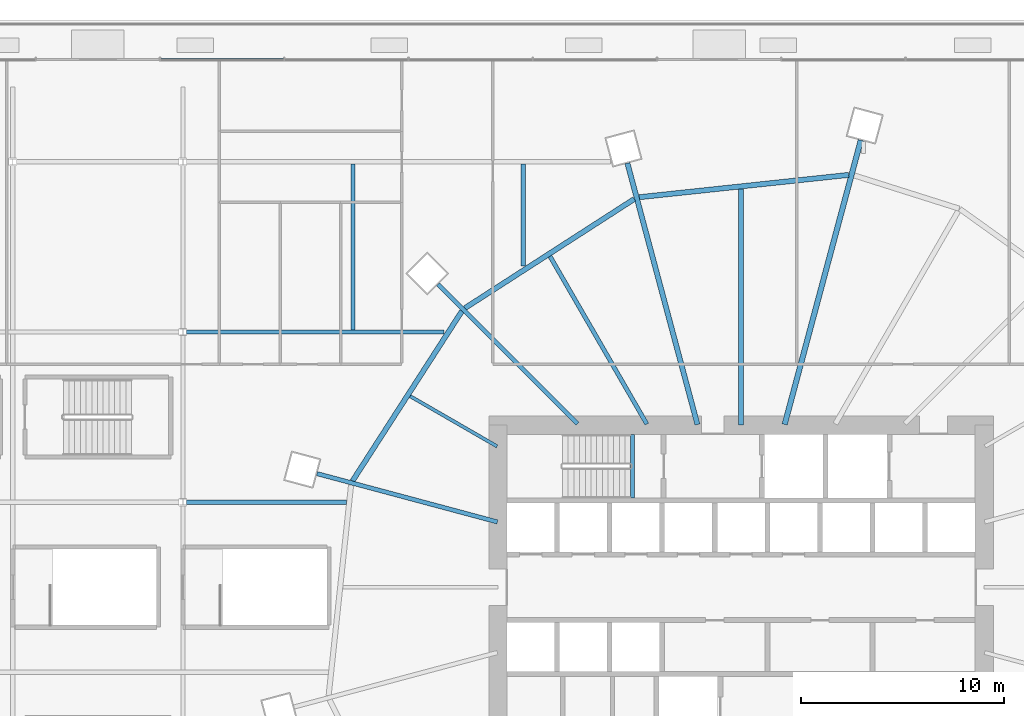
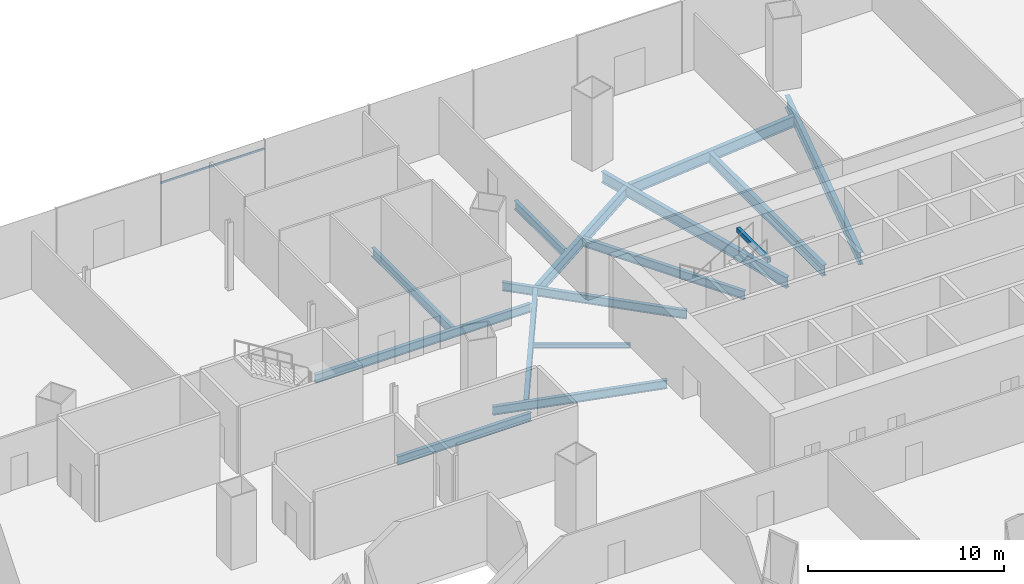
# One storey, part 25 of 49: 15 beams, 1 member, 1 element without a shape of its own.
"""IFC4 building model written with IfcOpenShell, lengths in metres."""

from ifc_helpers import new_model, si_unit, direction, frame, origin, origin_2d, place, context, subcontext, project, spatial, rectangle, hollow_rectangle, i_section, extrude, material, material_profile, profile_set, type_object, element, aggregate, save


model = new_model("IFC4")

# Units and contexts
model_context = context("Model", 3, precision=1e-05, world=origin(), true_north=direction((0.0, 1.0)))
body_context = subcontext(model_context, "Body", "Model", "MODEL_VIEW")
ifc_project = project(units=[si_unit("LENGTHUNIT", "METRE"), si_unit("AREAUNIT", "SQUARE_METRE"), si_unit("VOLUMEUNIT", "CUBIC_METRE"), si_unit("PLANEANGLEUNIT", "RADIAN"), si_unit("MASSUNIT", "GRAM", prefix="KILO")], contexts=[model_context])

# Site, building, storey
site_placement = place(None, origin())
site = spatial("IfcSite", under=ifc_project, at=site_placement, CompositionType="ELEMENT")
building_placement = place(site_placement, origin())
building = spatial("IfcBuilding", under=site, at=building_placement, Name="Rimbun Link Towers", CompositionType="ELEMENT")
storey_placement = place(building_placement, frame((0.0, 0.0, 25.5)))
storey = spatial("IfcBuildingStorey", under=building, at=storey_placement, Name="L05", CompositionType="ELEMENT", Elevation=25.5)

# Curtain wall, member
ifc_material_1 = material(Name="Aluminium 6063-T6 and low-iron glass", Category="aluminium")
curtain_wall_type = type_object("IfcCurtainWallType", Name="CW3 podium shopfront", PredefinedType="NOTDEFINED", material=ifc_material_1)
curtain_wall_placement = place(storey_placement, origin())
curtain_wall = element("IfcCurtainWall", 1, at=curtain_wall_placement, inside=storey, type_object=curtain_wall_type, Name="CW3 L05 PD", PredefinedType="NOTDEFINED")
ifc_material_2 = material(Name="Aluminium 6063-T6", Category="aluminium")
ifc_material_profile_1 = material_profile(ifc_material_2, rectangle(XDim=0.06005859375, YDim=0.1201171875, at=origin_2d()), Name="TRANSOM 60X120")
ifc_profile_set_1 = profile_set([ifc_material_profile_1], Name="Aluminium 6063-T6")
member_type = type_object("IfcMemberType", Name="CW3 transom 60X120", PredefinedType="USERDEFINED", material=ifc_profile_set_1)
member_placement = place(storey_placement, frame((3.0966796875, 26.053955078125, 3.89990234375), z_axis=(1.0, 0.0, 0.0), x_axis=(0.0, 1.0, 0.0)))
member = element("IfcMember", 2, at=member_placement, type_object=member_type, Name="CW3 transom", ObjectType="TRANSOM", PredefinedType="USERDEFINED", context=body_context, shape_type="SweptSolid", body=[
    extrude(rectangle(XDim=0.06005859375, YDim=0.1201171875, at=origin_2d()), origin(), (0.0, 0.0, 1.0), 6.0732421875),
])
aggregate(curtain_wall, [member])

# Beams
ifc_material_3 = material(Name="Steel S355J2", Category="steel")
ifc_material_profile_2 = material_profile(ifc_material_3, hollow_rectangle(XDim=0.199951171875, YDim=0.300048828125, WallThickness=0.011962890625, at=origin_2d()), Name="BOX 300x200x12")
ifc_profile_set_2 = profile_set([ifc_material_profile_2], Name="Steel S355J2")
beam_type_1 = type_object("IfcBeamType", Name="Stair trimmer beam BOX 300x200x12", PredefinedType="BEAM", material=ifc_profile_set_2)
beam_1_placement = place(storey_placement, frame((26.39990234375, 7.550048828125, 4.050048828125), z_axis=(0.0, -1.0, 0.0), x_axis=(1.0, 0.0, 0.0)))
element("IfcBeam", 3, at=beam_1_placement, inside=storey, type_object=beam_type_1, Name="L05 ST3 stair beam 1", PredefinedType="BEAM", context=body_context, shape_type="SweptSolid", body=[
    extrude(hollow_rectangle(XDim=0.199951171875, YDim=0.300048828125, WallThickness=0.011962890625, at=origin_2d()), origin(), (0.0, 0.0, 1.0), 3.150146484375),
])
ifc_material_4 = material(Name="Steel S355J2", Category="steel")
ifc_material_profile_3 = material_profile(ifc_material_4, i_section(OverallWidth=0.1650390625, OverallDepth=0.303466796875, WebThickness=0.006103515625, FlangeThickness=0.01025390625, at=origin_2d()), Name="UB 305x165x40")
ifc_profile_set_3 = profile_set([ifc_material_profile_3], Name="Steel S355J2")
beam_type_2 = type_object("IfcBeamType", Name="UB 305x165x40", PredefinedType="BEAM", material=ifc_profile_set_3)
beam_2_placement = place(storey_placement, frame((19.7080078125, 6.952392578125, -0.45166015625), z_axis=(-0.866029649098, 0.49999264683, 0.0), x_axis=(-0.49999264683, -0.866029649098, 0.0)))
element("IfcBeam", 4, at=beam_2_placement, inside=storey, type_object=beam_type_2, Name="Radial beam T2 L05 07", PredefinedType="BEAM", context=body_context, shape_type="SweptSolid", body=[
    extrude(i_section(OverallWidth=0.1650390625, OverallDepth=0.303466796875, WebThickness=0.006103515625, FlangeThickness=0.01025390625, at=origin_2d()), origin(), (0.0, 0.0, 1.0), 4.95361328125),
])
ifc_material_5 = material(Name="Steel S355J2", Category="steel")
ifc_material_profile_4 = material_profile(ifc_material_5, i_section(OverallWidth=0.209228515625, OverallDepth=0.533203125, WebThickness=0.010009765625, FlangeThickness=0.015625, at=origin_2d()), Name="UB 533x210x92")
ifc_profile_set_4 = profile_set([ifc_material_profile_4], Name="Steel S355J2")
beam_type_3 = type_object("IfcBeamType", Name="UB 533x210x92", PredefinedType="BEAM", material=ifc_profile_set_4)
beam_3_placement = place(storey_placement, frame((27.1005859375, 8.05322265625, -0.56640625), z_axis=(-0.500001003139, 0.866024824621, 0.0), x_axis=(-0.866024824621, -0.500001003139, 0.0)))
element("IfcBeam", 5, at=beam_3_placement, inside=storey, type_object=beam_type_3, Name="Radial beam T2 L05 05", PredefinedType="BEAM", context=body_context, shape_type="SweptSolid", body=[
    extrude(i_section(OverallWidth=0.209228515625, OverallDepth=0.533203125, WebThickness=0.010009765625, FlangeThickness=0.015625, at=origin_2d()), origin(), (0.0, 0.0, 1.0), 9.5595703125),
])
beam_4_placement = place(storey_placement, frame((23.67529296875, 8.07470703125, -0.56640625), z_axis=(-0.707106781187, 0.707106781187, 0.0), x_axis=(-0.707106781187, -0.707106781187, 0.0)))
element("IfcBeam", 6, at=beam_4_placement, inside=storey, type_object=beam_type_3, Name="Radial beam T2 L05 06", PredefinedType="BEAM", context=body_context, shape_type="SweptSolid", body=[
    extrude(i_section(OverallWidth=0.209228515625, OverallDepth=0.533203125, WebThickness=0.010009765625, FlangeThickness=0.015625, at=origin_2d()), origin(), (0.0, 0.0, 1.0), 9.73486328125),
])
beam_5_placement = place(storey_placement, frame((19.721923828125, 3.222900390625, -0.56640625), z_axis=(-0.965927485499, 0.258812852768, 0.0), x_axis=(-0.258812852768, -0.965927485499, 0.0)))
element("IfcBeam", 7, at=beam_5_placement, inside=storey, type_object=beam_type_3, Name="Radial beam T2 L05 08", PredefinedType="BEAM", context=body_context, shape_type="SweptSolid", body=[
    extrude(i_section(OverallWidth=0.209228515625, OverallDepth=0.533203125, WebThickness=0.010009765625, FlangeThickness=0.015625, at=origin_2d()), origin(), (0.0, 0.0, 1.0), 9.219970703125),
])
beam_6_placement = place(storey_placement, frame((4.38525390625, 4.199951171875, -0.56640625), z_axis=(1.0, 0.0, 0.0), x_axis=(0.0, 1.0, 0.0)))
element("IfcBeam", 8, at=beam_6_placement, inside=storey, type_object=beam_type_3, Name="Grid beam L05 +4.2", PredefinedType="BEAM", context=body_context, shape_type="SweptSolid", body=[
    extrude(i_section(OverallWidth=0.209228515625, OverallDepth=0.533203125, WebThickness=0.010009765625, FlangeThickness=0.015625, at=origin_2d()), origin(), (0.0, 0.0, 1.0), 7.88525390625),
])
beam_7_placement = place(storey_placement, frame((4.38525390625, 12.60009765625, -0.56640625), z_axis=(1.0, 0.0, 0.0), x_axis=(0.0, 1.0, 0.0)))
element("IfcBeam", 9, at=beam_7_placement, inside=storey, type_object=beam_type_3, Name="Grid beam L05 +12.6", PredefinedType="BEAM", context=body_context, shape_type="SweptSolid", body=[
    extrude(i_section(OverallWidth=0.209228515625, OverallDepth=0.533203125, WebThickness=0.010009765625, FlangeThickness=0.015625, at=origin_2d()), origin(), (0.0, 0.0, 1.0), 12.7041015625),
])
beam_8_placement = place(storey_placement, frame((12.60009765625, 12.70458984375, -0.56640625), z_axis=(0.0, 1.0, 0.0), x_axis=(-1.0, 0.0, 0.0)))
element("IfcBeam", 10, at=beam_8_placement, inside=storey, type_object=beam_type_3, Name="Grid beam L05 +12.6", PredefinedType="BEAM", context=body_context, shape_type="SweptSolid", body=[
    extrude(i_section(OverallWidth=0.209228515625, OverallDepth=0.533203125, WebThickness=0.010009765625, FlangeThickness=0.015625, at=origin_2d()), origin(), (0.0, 0.0, 1.0), 8.19091796875),
])
beam_9_placement = place(storey_placement, frame((21.0, 15.8525390625, -0.56640625), z_axis=(0.0, 1.0, 0.0), x_axis=(-1.0, 0.0, 0.0)))
element("IfcBeam", 11, at=beam_9_placement, inside=storey, type_object=beam_type_3, Name="Grid beam L05 +21.0", PredefinedType="BEAM", context=body_context, shape_type="SweptSolid", body=[
    extrude(i_section(OverallWidth=0.209228515625, OverallDepth=0.533203125, WebThickness=0.010009765625, FlangeThickness=0.015625, at=origin_2d()), origin(), (0.0, 0.0, 1.0), 5.04296875),
])
ifc_material_6 = material(Name="Steel S355J2", Category="steel")
ifc_material_profile_5 = material_profile(ifc_material_6, i_section(OverallWidth=0.253662109375, OverallDepth=0.68359375, WebThickness=0.012451171875, FlangeThickness=0.01904296875, at=origin_2d()), Name="UB 686x254x140")
ifc_profile_set_5 = profile_set([ifc_material_profile_5], Name="Steel S355J2")
beam_type_4 = type_object("IfcBeamType", Name="UB 686x254x140", PredefinedType="BEAM", material=ifc_profile_set_5)
beam_10_placement = place(storey_placement, frame((31.75, 8.0009765625, -0.641845703125), z_axis=(0.0, 1.0, 0.0), x_axis=(-1.0, 0.0, 0.0)))
element("IfcBeam", 12, at=beam_10_placement, inside=storey, type_object=beam_type_4, Name="Radial beam T2 L05 03", PredefinedType="BEAM", context=body_context, shape_type="SweptSolid", body=[
    extrude(i_section(OverallWidth=0.253662109375, OverallDepth=0.68359375, WebThickness=0.012451171875, FlangeThickness=0.01904296875, at=origin_2d()), origin(), (0.0, 0.0, 1.0), 11.65771484375),
])
beam_11_placement = place(storey_placement, frame((29.597412109375, 8.03369140625, -0.641845703125), z_axis=(-0.258816190288, 0.96592659123, 0.0), x_axis=(-0.96592659123, -0.258816190288, 0.0)))
element("IfcBeam", 13, at=beam_11_placement, inside=storey, type_object=beam_type_4, Name="Radial beam T2 L05 04", PredefinedType="BEAM", context=body_context, shape_type="SweptSolid", body=[
    extrude(i_section(OverallWidth=0.253662109375, OverallDepth=0.68359375, WebThickness=0.012451171875, FlangeThickness=0.01904296875, at=origin_2d()), origin(), (0.0, 0.0, 1.0), 13.355224609375),
])
beam_12_placement = place(storey_placement, frame((37.064697265625, 20.353271484375, -0.641845703125), z_axis=(-0.994376453373, -0.105903111275, 0.0), x_axis=(0.105903111275, -0.994376453373, 0.0)))
element("IfcBeam", 14, at=beam_12_placement, inside=storey, type_object=beam_type_4, Name="Edge beam T2 L05 02-04", PredefinedType="BEAM", context=body_context, shape_type="SweptSolid", body=[
    extrude(i_section(OverallWidth=0.253662109375, OverallDepth=0.68359375, WebThickness=0.012451171875, FlangeThickness=0.01904296875, at=origin_2d()), origin(), (0.0, 0.0, 1.0), 10.3994140625),
])
beam_13_placement = place(storey_placement, frame((26.482421875, 19.16552734375, -0.641845703125), z_axis=(-0.840626167656, -0.541615773636, 0.0), x_axis=(0.541615773636, -0.840626167656, 0.0)))
element("IfcBeam", 15, at=beam_13_placement, inside=storey, type_object=beam_type_4, Name="Edge beam T2 L05 04-06", PredefinedType="BEAM", context=body_context, shape_type="SweptSolid", body=[
    extrude(i_section(OverallWidth=0.253662109375, OverallDepth=0.68359375, WebThickness=0.012451171875, FlangeThickness=0.01904296875, at=origin_2d()), origin(), (0.0, 0.0, 1.0), 9.946533203125),
])
beam_14_placement = place(storey_placement, frame((17.9716796875, 13.62890625, -0.641845703125), z_axis=(-0.541606359312, -0.840632233235, 0.0), x_axis=(0.840632233235, -0.541606359312, 0.0)))
element("IfcBeam", 16, at=beam_14_placement, inside=storey, type_object=beam_type_4, Name="Edge beam T2 L05 06-08", PredefinedType="BEAM", context=body_context, shape_type="SweptSolid", body=[
    extrude(i_section(OverallWidth=0.253662109375, OverallDepth=0.68359375, WebThickness=0.012451171875, FlangeThickness=0.01904296875, at=origin_2d()), origin(), (0.0, 0.0, 1.0), 9.9697265625),
])
ifc_material_7 = material(Name="Steel S355J2", Category="steel")
ifc_material_profile_6 = material_profile(ifc_material_7, i_section(OverallWidth=0.2666015625, OverallDepth=0.76220703125, WebThickness=0.014404296875, FlangeThickness=0.021484375, at=origin_2d()), Name="UB 762x267x173")
ifc_profile_set_6 = profile_set([ifc_material_profile_6], Name="Steel S355J2")
beam_type_5 = type_object("IfcBeamType", Name="UB 762x267x173", PredefinedType="BEAM", material=ifc_profile_set_6)
beam_15_placement = place(storey_placement, frame((33.903076171875, 8.035400390625, -0.68115234375), z_axis=(0.25882261837, 0.965924868828, 0.0), x_axis=(-0.965924868828, 0.25882261837, 0.0)))
element("IfcBeam", 17, at=beam_15_placement, inside=storey, type_object=beam_type_5, Name="Radial beam T2 L05 02", PredefinedType="BEAM", context=body_context, shape_type="SweptSolid", body=[
    extrude(i_section(OverallWidth=0.2666015625, OverallDepth=0.76220703125, WebThickness=0.014404296875, FlangeThickness=0.021484375, at=origin_2d()), origin(), (0.0, 0.0, 1.0), 14.525390625),
])

save(model, "model.ifc")
